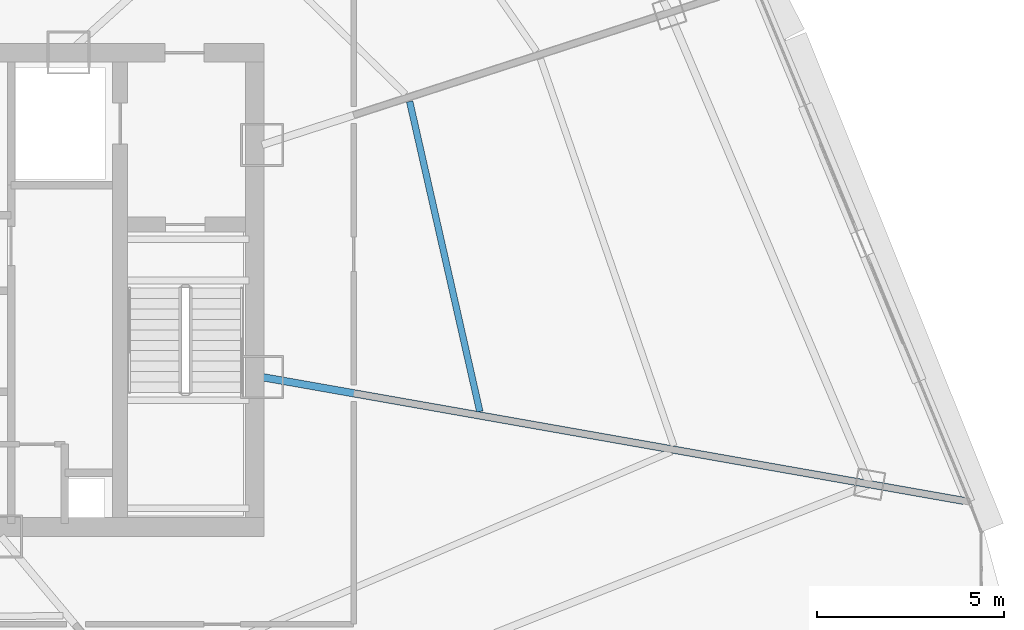
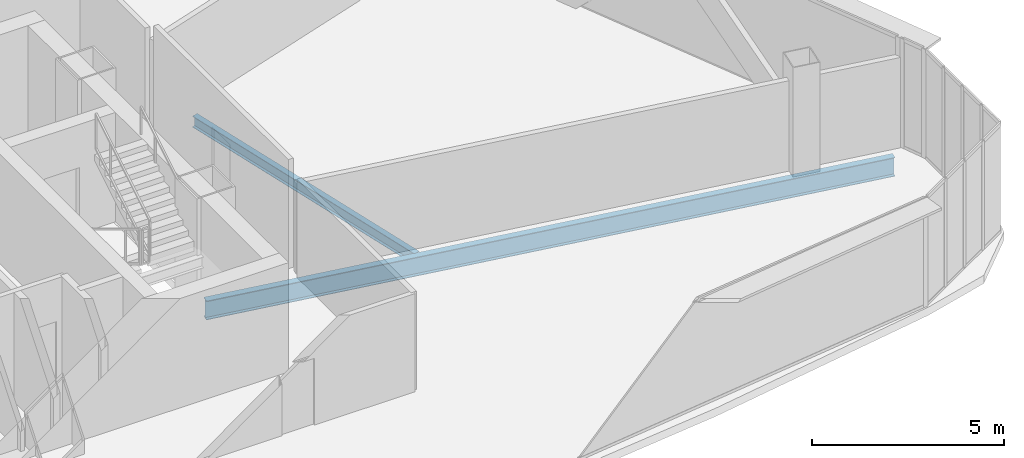
# One storey, part 15 of 40: 2 beams.
"""IFC4 building model written with IfcOpenShell, lengths in metres."""

from ifc_helpers import new_model, si_unit, direction, frame, origin, origin_2d, place, context, subcontext, project, spatial, i_section, extrude, source, transform, mapped, material, material_profile, profile_set, type_object, element, save


model = new_model("IFC4")

# Units and contexts
model_context = context("Model", 3, precision=1e-05, world=origin(), true_north=direction((0.0, 1.0)))
body_context = subcontext(model_context, "Body", "Model", "MODEL_VIEW")
ifc_project = project(units=[si_unit("LENGTHUNIT", "METRE"), si_unit("AREAUNIT", "SQUARE_METRE"), si_unit("VOLUMEUNIT", "CUBIC_METRE"), si_unit("PLANEANGLEUNIT", "RADIAN"), si_unit("MASSUNIT", "GRAM", prefix="KILO"), si_unit("THERMODYNAMICTEMPERATUREUNIT", "KELVIN"), si_unit("POWERUNIT", "WATT")], contexts=[model_context])

# Site, building, storey
site_placement = place(None, origin())
site = spatial("IfcSite", under=ifc_project, at=site_placement, CompositionType="ELEMENT")
building_placement = place(site_placement, origin())
building = spatial("IfcBuilding", under=site, at=building_placement, Name="Yunzhuo Pagoda Commons", CompositionType="ELEMENT")
storey_placement = place(building_placement, frame((0.0, 0.0, 292.47998046875)))
storey = spatial("IfcBuildingStorey", under=building, at=storey_placement, Name="L73", CompositionType="ELEMENT", Elevation=292.47998046875)

# Beams
ifc_material = material(Name="Structural steel Q355B", Category="steel")
ifc_material_profile_1 = material_profile(ifc_material, i_section(OverallWidth=0.175048828125, OverallDepth=0.35009765625, WebThickness=0.007080078125, FlangeThickness=0.010986328125, at=origin_2d()), Name="Structural steel Q355B")
ifc_profile_set_1 = profile_set([ifc_material_profile_1], Name="Structural steel Q355B")
beam_type_1 = type_object("IfcBeamType", Name="B-JS2 Joist HN 350x175x7x11", PredefinedType="JOIST", material=ifc_profile_set_1)
shared_shape_1 = source(origin(), body_context, "Body", "SweptSolid", [
    extrude(i_section(OverallWidth=0.175048828125, OverallDepth=0.35009765625, WebThickness=0.007080078125, FlangeThickness=0.010986328125, at=origin_2d()), origin(), (0.0, 0.0, 1.0), 8.508544921875),
])
beam_1_placement = place(storey_placement, frame((66.228759765625, 30.593505859375, -0.43505859375), z_axis=(-0.220769003385, 0.975326123481, 0.0), x_axis=(-0.975326123481, -0.220769003385, 0.0)))
element("IfcBeam", 1, at=beam_1_placement, inside=storey, type_object=beam_type_1, Name="L73 composite ring joist 1.5", PredefinedType="JOIST", context=body_context, shape_type="MappedRepresentation", body=[
    mapped(shared_shape_1, transform((0.0, 0.0, 0.0), scale=1.0)),
])
ifc_material_profile_2 = material_profile(ifc_material, i_section(OverallWidth=0.199951171875, OverallDepth=0.60009765625, WebThickness=0.010986328125, FlangeThickness=0.01708984375, at=origin_2d()), Name="Structural steel Q355B")
ifc_profile_set_2 = profile_set([ifc_material_profile_2], Name="Structural steel Q355B")
beam_type_2 = type_object("IfcBeamType", Name="B-RG3 Beam HN 600x200x11x17", PredefinedType="BEAM", material=ifc_profile_set_2)
shared_shape_2 = source(origin(), body_context, "Body", "SweptSolid", [
    extrude(i_section(OverallWidth=0.199951171875, OverallDepth=0.60009765625, WebThickness=0.010986328125, FlangeThickness=0.01708984375, at=origin_2d()), origin(), (0.0, 0.0, 1.0), 19.06884765625),
])
beam_2_placement = place(storey_placement, frame((79.17919921875, 28.202392578125, -0.56005859375), z_axis=(-0.984810098602, 0.173634874639, 0.0), x_axis=(-0.173634874639, -0.984810098602, 0.0)))
element("IfcBeam", 2, at=beam_2_placement, inside=storey, type_object=beam_type_2, Name="L73 radial floor girder F2C1", PredefinedType="BEAM", context=body_context, shape_type="MappedRepresentation", body=[
    mapped(shared_shape_2, transform((0.0, 0.0, 0.0), scale=1.0)),
])

save(model, "model.ifc")
